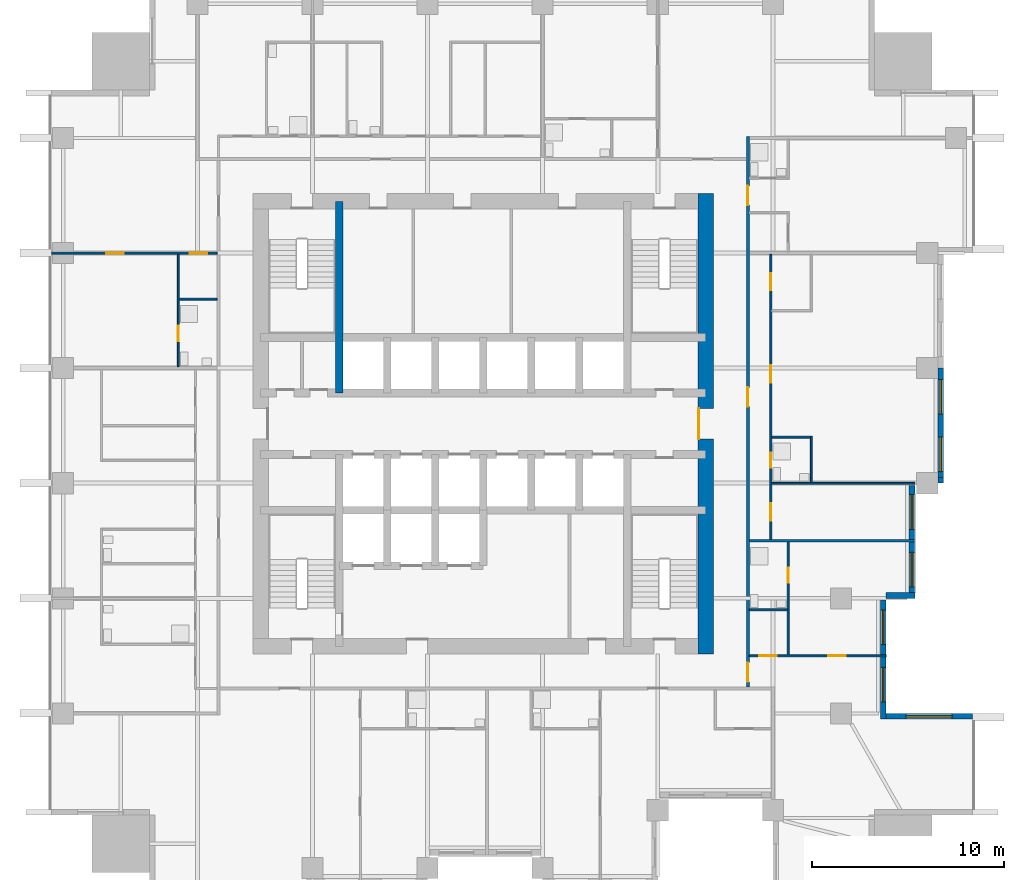
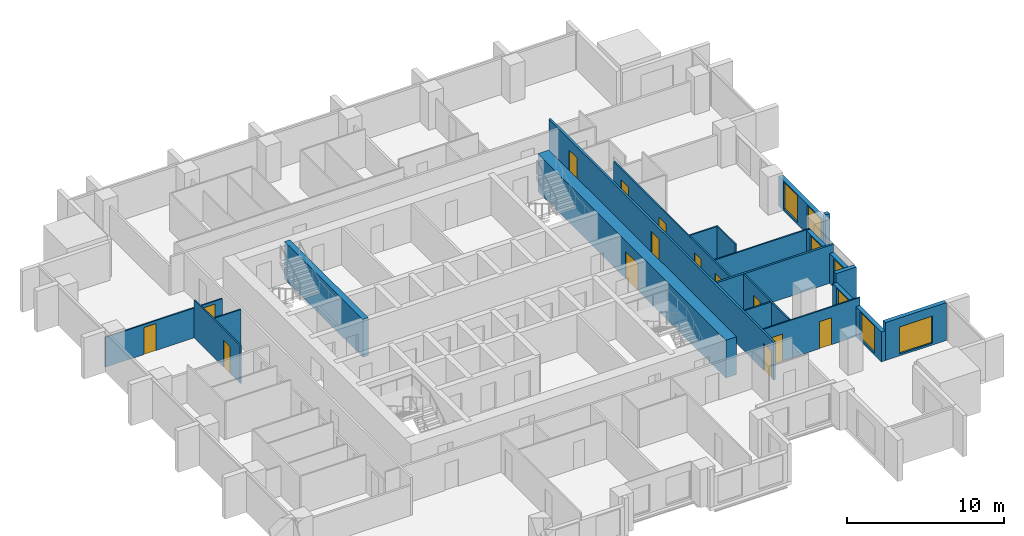
# One storey, part 6 of 10: 20 walls, 14 doors, 7 windows, 21 openings.
"""IFC4 building model written with IfcOpenShell, lengths in metres."""

from ifc_helpers import new_model, si_unit, direction, frame, frame_2d, origin, place, context, subcontext, project, spatial, rectangle, extrude, material, layer, layer_set, type_object, element, fill, save


model = new_model("IFC4")

# Units and contexts
model_context = context("Model", 3, precision=1e-05, world=origin(), true_north=direction((0.0, 1.0)))
body_context = subcontext(model_context, "Body", "Model", "MODEL_VIEW")
ifc_project = project(units=[si_unit("LENGTHUNIT", "METRE"), si_unit("AREAUNIT", "SQUARE_METRE"), si_unit("VOLUMEUNIT", "CUBIC_METRE"), si_unit("PLANEANGLEUNIT", "RADIAN"), si_unit("MASSUNIT", "GRAM", prefix="KILO")], contexts=[model_context])

# Site, building, storey
site_placement = place(None, origin())
site = spatial("IfcSite", under=ifc_project, at=site_placement, CompositionType="ELEMENT")
building_placement = place(site_placement, origin())
building = spatial("IfcBuilding", under=site, at=building_placement, Name="Amberfall Residences", CompositionType="ELEMENT")
storey_placement = place(building_placement, frame((0.0, 0.0, 121.60009765625)))
storey = spatial("IfcBuildingStorey", under=building, at=storey_placement, Name="L33", CompositionType="ELEMENT", Elevation=121.60009765625)

# Wall, opening, window
ifc_material_1 = material(Name="Pale stone cladding on insulated backing", Category="masonry")
ifc_layer_1 = layer(ifc_material_1, 0.300048828125)
ifc_layer_set_1 = layer_set([ifc_layer_1], Name="Bronze clad wall 300")
wall_type_1 = type_object("IfcWallType", Name="Bronze clad wall 300", PredefinedType="SOLIDWALL", material=ifc_layer_set_1)
wall_1_placement = place(storey_placement, frame((100.0, 30.25, 0.0), z_axis=(0.0, 0.0, 1.0), x_axis=(-1.0, 0.0, 0.0)))
wall_1 = element("IfcWall", 1, at=wall_1_placement, inside=storey, type_object=wall_type_1, Name="External wall L33 E", PredefinedType="SOLIDWALL", context=body_context, shape_type="SweptSolid", body=[
    extrude(rectangle(XDim=4.5, YDim=0.300048828125, at=frame_2d((2.25, 0.0))), origin(), (0.0, 0.0, 1.0), 2.949951171875),
])
opening_1_placement = place(wall_1_placement, frame((1.050048828125, 0.0, 0.14990234375)))
opening_1 = element("IfcOpeningElement", 2, at=opening_1_placement, cuts=wall_1, Name="Opening WN5", PredefinedType="OPENING", context=body_context, shape_type="SweptSolid", body=[
    extrude(rectangle(XDim=2.39990234375, YDim=2.10009765625, at=frame_2d((1.199951171875, 1.050048828125))), frame((0.0, 0.159912109375, 0.0), z_axis=(0.0, -1.0, 0.0), x_axis=(1.0, 0.0, 0.0)), (0.0, 0.0, 1.0), 0.320068359375),
])
ifc_material_2 = material(Name="Bronze aluminium framed glazing", Category="aluminium")
window_type_1 = type_object("IfcWindowType", Name="Glazed opening 2400 x 2100 bronze", PartitioningType="DOUBLE_PANEL_VERTICAL", PredefinedType="WINDOW", material=ifc_material_2)
window_1_placement = place(opening_1_placement, origin())
window_1 = element("IfcWindow", 3, at=window_1_placement, inside=storey, type_object=window_type_1, Name="Window L33 E", OverallHeight=2.10009765625, OverallWidth=2.39990234375, PartitioningType="DOUBLE_PANEL_VERTICAL", PredefinedType="WINDOW", context=body_context, shape_type="SweptSolid", body=[
    extrude(rectangle(XDim=2.39990234375, YDim=2.10009765625, at=frame_2d((1.199951171875, 1.050048828125))), frame((0.0, 0.030029296875, 0.0), z_axis=(0.0, -1.0, 0.0), x_axis=(1.0, 0.0, 0.0)), (0.0, 0.0, 1.0), 0.06005859375),
])
fill(opening_1, window_1)

# Walls
wall_2_placement = place(storey_placement, frame((95.5, 36.550048828125, 0.0), z_axis=(0.0, 0.0, 1.0), x_axis=(1.0, 0.0, 0.0)))
element("IfcWall", 4, at=wall_2_placement, inside=storey, type_object=wall_type_1, Name="External wall L33 E", PredefinedType="SOLIDWALL", context=body_context, shape_type="SweptSolid", body=[
    extrude(rectangle(XDim=1.5, YDim=0.300048828125, at=frame_2d((0.75, 0.0))), origin(), (0.0, 0.0, 1.0), 2.949951171875),
])
wall_3_placement = place(storey_placement, frame((98.199951171875, 42.550048828125, 0.0), z_axis=(0.0, 0.0, 1.0), x_axis=(1.0, 0.0, 0.0)))
element("IfcWall", 5, at=wall_3_placement, inside=storey, type_object=wall_type_1, Name="External wall L33 E", PredefinedType="SOLIDWALL", context=body_context, shape_type="SweptSolid", body=[
    extrude(rectangle(XDim=0.300048828125, YDim=0.300048828125, at=frame_2d((0.14990234375, 0.0))), origin(), (0.0, 0.0, 1.0), 2.949951171875),
])

# Wall, openings, windows
wall_4_placement = place(storey_placement, frame((95.35009765625, 30.10009765625, 0.0), z_axis=(0.0, 0.0, 1.0), x_axis=(0.0, 1.0, 0.0)))
wall_4 = element("IfcWall", 6, at=wall_4_placement, inside=storey, type_object=wall_type_1, Name="Stone wall L33 E", PredefinedType="SOLIDWALL", context=body_context, shape_type="SweptSolid", body=[
    extrude(rectangle(XDim=6.2099609375, YDim=0.300048828125, at=frame_2d((3.10498046875, 0.0))), origin(), (0.0, 0.0, 1.0), 2.34033203125),
])
opening_2_placement = place(wall_4_placement, frame((0.89990234375, 0.0, 0.14990234375)))
opening_2 = element("IfcOpeningElement", 7, at=opening_2_placement, cuts=wall_4, Name="Opening WN6", PredefinedType="OPENING", context=body_context, shape_type="SweptSolid", body=[
    extrude(rectangle(XDim=1.800048828125, YDim=2.10009765625, at=frame_2d((0.89990234375, 1.050048828125))), frame((0.0, 0.159912109375, 0.0), z_axis=(0.0, -1.0, 0.0), x_axis=(1.0, 0.0, 0.0)), (0.0, 0.0, 1.0), 0.320068359375),
])
opening_3_placement = place(wall_4_placement, frame((3.89990234375, 0.0, 0.14990234375)))
opening_3 = element("IfcOpeningElement", 8, at=opening_3_placement, cuts=wall_4, Name="Opening WN6", PredefinedType="OPENING", context=body_context, shape_type="SweptSolid", body=[
    extrude(rectangle(XDim=1.800048828125, YDim=2.10009765625, at=frame_2d((0.89990234375, 1.050048828125))), frame((0.0, 0.159912109375, 0.0), z_axis=(0.0, -1.0, 0.0), x_axis=(1.0, 0.0, 0.0)), (0.0, 0.0, 1.0), 0.320068359375),
])
window_type_2 = type_object("IfcWindowType", Name="Glazed opening 1800 x 2100 bronze", PartitioningType="DOUBLE_PANEL_VERTICAL", PredefinedType="WINDOW", material=ifc_material_2)
window_2_placement = place(opening_2_placement, origin())
window_2 = element("IfcWindow", 9, at=window_2_placement, inside=storey, type_object=window_type_2, Name="Window L33 E", OverallHeight=2.10009765625, OverallWidth=1.800048828125, PartitioningType="DOUBLE_PANEL_VERTICAL", PredefinedType="WINDOW", context=body_context, shape_type="SweptSolid", body=[
    extrude(rectangle(XDim=1.800048828125, YDim=2.10009765625, at=frame_2d((0.89990234375, 1.050048828125))), frame((0.0, 0.030029296875, 0.0), z_axis=(0.0, -1.0, 0.0), x_axis=(1.0, 0.0, 0.0)), (0.0, 0.0, 1.0), 0.06005859375),
])
fill(opening_2, window_2)
window_3_placement = place(opening_3_placement, origin())
window_3 = element("IfcWindow", 10, at=window_3_placement, inside=storey, type_object=window_type_2, Name="Window L33 E", OverallHeight=2.10009765625, OverallWidth=1.800048828125, PartitioningType="DOUBLE_PANEL_VERTICAL", PredefinedType="WINDOW", context=body_context, shape_type="SweptSolid", body=[
    extrude(rectangle(XDim=1.800048828125, YDim=2.10009765625, at=frame_2d((0.89990234375, 1.050048828125))), frame((0.0, 0.030029296875, 0.0), z_axis=(0.0, -1.0, 0.0), x_axis=(1.0, 0.0, 0.0)), (0.0, 0.0, 1.0), 0.06005859375),
])
fill(opening_3, window_3)

wall_5_placement = place(storey_placement, frame((96.85009765625, 36.699951171875, 0.0), z_axis=(0.0, 0.0, 1.0), x_axis=(0.0, 1.0, 0.0)))
wall_5 = element("IfcWall", 11, at=wall_5_placement, inside=storey, type_object=wall_type_1, Name="Stone wall L33 E", PredefinedType="SOLIDWALL", context=body_context, shape_type="SweptSolid", body=[
    extrude(rectangle(XDim=5.580078125, YDim=0.300048828125, at=frame_2d((2.7900390625, 0.0))), origin(), (0.0, 0.0, 1.0), 2.34033203125),
])
opening_4_placement = place(wall_5_placement, frame((0.300048828125, 0.0, 0.14990234375)))
opening_4 = element("IfcOpeningElement", 12, at=opening_4_placement, cuts=wall_5, Name="Opening WN6", PredefinedType="OPENING", context=body_context, shape_type="SweptSolid", body=[
    extrude(rectangle(XDim=1.800048828125, YDim=2.10009765625, at=frame_2d((0.89990234375, 1.050048828125))), frame((0.0, 0.159912109375, 0.0), z_axis=(0.0, -1.0, 0.0), x_axis=(1.0, 0.0, 0.0)), (0.0, 0.0, 1.0), 0.320068359375),
])
opening_5_placement = place(wall_5_placement, frame((3.300048828125, 0.0, 0.14990234375)))
opening_5 = element("IfcOpeningElement", 13, at=opening_5_placement, cuts=wall_5, Name="Opening WN6", PredefinedType="OPENING", context=body_context, shape_type="SweptSolid", body=[
    extrude(rectangle(XDim=1.800048828125, YDim=2.10009765625, at=frame_2d((0.89990234375, 1.050048828125))), frame((0.0, 0.159912109375, 0.0), z_axis=(0.0, -1.0, 0.0), x_axis=(1.0, 0.0, 0.0)), (0.0, 0.0, 1.0), 0.320068359375),
])
window_4_placement = place(opening_4_placement, origin())
window_4 = element("IfcWindow", 14, at=window_4_placement, inside=storey, type_object=window_type_2, Name="Window L33 E", OverallHeight=2.10009765625, OverallWidth=1.800048828125, PartitioningType="DOUBLE_PANEL_VERTICAL", PredefinedType="WINDOW", context=body_context, shape_type="SweptSolid", body=[
    extrude(rectangle(XDim=1.800048828125, YDim=2.10009765625, at=frame_2d((0.89990234375, 1.050048828125))), frame((0.0, 0.030029296875, 0.0), z_axis=(0.0, -1.0, 0.0), x_axis=(1.0, 0.0, 0.0)), (0.0, 0.0, 1.0), 0.06005859375),
])
fill(opening_4, window_4)
window_5_placement = place(opening_5_placement, origin())
window_5 = element("IfcWindow", 15, at=window_5_placement, inside=storey, type_object=window_type_2, Name="Window L33 E", OverallHeight=2.10009765625, OverallWidth=1.800048828125, PartitioningType="DOUBLE_PANEL_VERTICAL", PredefinedType="WINDOW", context=body_context, shape_type="SweptSolid", body=[
    extrude(rectangle(XDim=1.800048828125, YDim=2.10009765625, at=frame_2d((0.89990234375, 1.050048828125))), frame((0.0, 0.030029296875, 0.0), z_axis=(0.0, -1.0, 0.0), x_axis=(1.0, 0.0, 0.0)), (0.0, 0.0, 1.0), 0.06005859375),
])
fill(opening_5, window_5)

wall_6_placement = place(storey_placement, frame((98.35009765625, 42.699951171875, 0.0), z_axis=(0.0, 0.0, 1.0), x_axis=(0.0, 1.0, 0.0)))
wall_6 = element("IfcWall", 16, at=wall_6_placement, inside=storey, type_object=wall_type_1, Name="Stone wall L33 E", PredefinedType="SOLIDWALL", context=body_context, shape_type="SweptSolid", body=[
    extrude(rectangle(XDim=5.699951171875, YDim=0.300048828125, at=frame_2d((2.85009765625, 0.0))), origin(), (0.0, 0.0, 1.0), 2.34033203125),
])
opening_6_placement = place(wall_6_placement, frame((0.300048828125, 0.0, 0.14990234375)))
opening_6 = element("IfcOpeningElement", 17, at=opening_6_placement, cuts=wall_6, Name="Opening WN6", PredefinedType="OPENING", context=body_context, shape_type="SweptSolid", body=[
    extrude(rectangle(XDim=1.800048828125, YDim=2.10009765625, at=frame_2d((0.89990234375, 1.050048828125))), frame((0.0, 0.159912109375, 0.0), z_axis=(0.0, -1.0, 0.0), x_axis=(1.0, 0.0, 0.0)), (0.0, 0.0, 1.0), 0.320068359375),
])
opening_7_placement = place(wall_6_placement, frame((3.300048828125, 0.0, 0.14990234375)))
opening_7 = element("IfcOpeningElement", 18, at=opening_7_placement, cuts=wall_6, Name="Opening WN6", PredefinedType="OPENING", context=body_context, shape_type="SweptSolid", body=[
    extrude(rectangle(XDim=1.800048828125, YDim=2.10009765625, at=frame_2d((0.89990234375, 1.050048828125))), frame((0.0, 0.159912109375, 0.0), z_axis=(0.0, -1.0, 0.0), x_axis=(1.0, 0.0, 0.0)), (0.0, 0.0, 1.0), 0.320068359375),
])
window_6_placement = place(opening_6_placement, origin())
window_6 = element("IfcWindow", 19, at=window_6_placement, inside=storey, type_object=window_type_2, Name="Window L33 E", OverallHeight=2.10009765625, OverallWidth=1.800048828125, PartitioningType="DOUBLE_PANEL_VERTICAL", PredefinedType="WINDOW", context=body_context, shape_type="SweptSolid", body=[
    extrude(rectangle(XDim=1.800048828125, YDim=2.10009765625, at=frame_2d((0.89990234375, 1.050048828125))), frame((0.0, 0.030029296875, 0.0), z_axis=(0.0, -1.0, 0.0), x_axis=(1.0, 0.0, 0.0)), (0.0, 0.0, 1.0), 0.06005859375),
])
fill(opening_6, window_6)
window_7_placement = place(opening_7_placement, origin())
window_7 = element("IfcWindow", 20, at=window_7_placement, inside=storey, type_object=window_type_2, Name="Window L33 E", OverallHeight=2.10009765625, OverallWidth=1.800048828125, PartitioningType="DOUBLE_PANEL_VERTICAL", PredefinedType="WINDOW", context=body_context, shape_type="SweptSolid", body=[
    extrude(rectangle(XDim=1.800048828125, YDim=2.10009765625, at=frame_2d((0.89990234375, 1.050048828125))), frame((0.0, 0.030029296875, 0.0), z_axis=(0.0, -1.0, 0.0), x_axis=(1.0, 0.0, 0.0)), (0.0, 0.0, 1.0), 0.06005859375),
])
fill(opening_7, window_7)

# Wall
ifc_material_3 = material(Name="Concrete C70", Category="concrete")
ifc_layer_2 = layer(ifc_material_3, 0.39990234375)
ifc_layer_set_2 = layer_set([ifc_layer_2], Name="Core wall 400 C70")
wall_type_2 = type_object("IfcWallType", Name="Core wall 400 C70", PredefinedType="SHEAR", material=ifc_layer_set_2)
wall_7_placement = place(storey_placement, frame((67.0, 47.10009765625, 0.0), z_axis=(0.0, 0.0, 1.0), x_axis=(0.0, 1.0, 0.0)))
element("IfcWall", 21, at=wall_7_placement, inside=storey, type_object=wall_type_2, Name="Core wall RW4 L33 V45N", PredefinedType="SHEAR", context=body_context, shape_type="SweptSolid", body=[
    extrude(rectangle(XDim=10.0, YDim=0.39990234375, at=frame_2d((5.0, 0.0))), origin(), (0.0, 0.0, 1.0), 2.949951171875),
])

# Wall, opening, door
ifc_layer_3 = layer(ifc_material_3, 0.800048828125)
ifc_layer_set_3 = layer_set([ifc_layer_3], Name="Core wall 800 C70")
wall_type_3 = type_object("IfcWallType", Name="Core wall 800 C70", PredefinedType="SHEAR", material=ifc_layer_set_3)
wall_8_placement = place(storey_placement, frame((86.10009765625, 33.5, 0.0), z_axis=(0.0, 0.0, 1.0), x_axis=(0.0, 1.0, 0.0)))
wall_8 = element("IfcWall", 22, at=wall_8_placement, inside=storey, type_object=wall_type_3, Name="Core wall RW3 L33 OE", PredefinedType="SHEAR", context=body_context, shape_type="SweptSolid", body=[
    extrude(rectangle(XDim=24.0, YDim=0.800048828125, at=frame_2d((12.0, 0.0))), origin(), (0.0, 0.0, 1.0), 2.949951171875),
])
opening_8_placement = place(wall_8_placement, frame((11.199951171875, 0.0, 0.0)))
opening_8 = element("IfcOpeningElement", 23, at=opening_8_placement, cuts=wall_8, Name="Opening LB1", PredefinedType="OPENING", context=body_context, shape_type="SweptSolid", body=[
    extrude(rectangle(XDim=1.60009765625, YDim=2.10009765625, at=frame_2d((0.800048828125, 1.050048828125))), frame((0.0, 0.409912109375, 0.0), z_axis=(0.0, -1.0, 0.0), x_axis=(1.0, 0.0, 0.0)), (0.0, 0.0, 1.0), 0.820068359375),
])
ifc_material_4 = material(Name="Steel fire door set", Category="steel")
door_type_1 = type_object("IfcDoorType", Name="Lift lobby double door 1600 x 2100", OperationType="DOUBLE_DOOR_SINGLE_SWING", PredefinedType="DOOR", material=ifc_material_4)
door_1_placement = place(opening_8_placement, origin())
door_1 = element("IfcDoor", 24, at=door_1_placement, inside=storey, type_object=door_type_1, Name="LB1 L33", OperationType="DOUBLE_DOOR_SINGLE_SWING", OverallHeight=2.10009765625, OverallWidth=1.60009765625, PredefinedType="DOOR", context=body_context, shape_type="SweptSolid", body=[
    extrude(rectangle(XDim=1.60009765625, YDim=2.10009765625, at=frame_2d((0.800048828125, 1.050048828125))), frame((0.0, 0.3876953125, 0.0), z_axis=(0.0, -1.0, 0.0), x_axis=(1.0, 0.0, 0.0)), (0.0, 0.0, 1.0), 0.050048828125),
])
fill(opening_8, door_1)

ifc_material_5 = material(Name="Gypsum board on metal stud")
ifc_layer_4 = layer(ifc_material_5, 0.10009765625)
ifc_layer_set_4 = layer_set([ifc_layer_4], Name="Flat partition 100")
wall_type_4 = type_object("IfcWallType", Name="Flat partition 100", PredefinedType="PARTITIONING", material=ifc_layer_set_4)
wall_9_placement = place(storey_placement, frame((58.60009765625, 54.35009765625, 0.0), z_axis=(0.0, 0.0, 1.0), x_axis=(0.0, -1.0, 0.0)))
wall_9 = element("IfcWall", 25, at=wall_9_placement, inside=storey, type_object=wall_type_4, Name="Partition 003", PredefinedType="PARTITIONING", context=body_context, shape_type="SweptSolid", body=[
    extrude(rectangle(XDim=5.875, YDim=0.10009765625, at=frame_2d((2.9375, 0.0))), origin(), (0.0, 0.0, 1.0), 2.949951171875),
])
opening_9_placement = place(wall_9_placement, frame((3.75, 0.0, 0.0)))
opening_9 = element("IfcOpeningElement", 26, at=opening_9_placement, cuts=wall_9, Name="Opening D42", PredefinedType="OPENING", context=body_context, shape_type="SweptSolid", body=[
    extrude(rectangle(XDim=0.800048828125, YDim=2.10009765625, at=frame_2d((0.39990234375, 1.050048828125))), frame((0.0, 0.06005859375, 0.0), z_axis=(0.0, -1.0, 0.0), x_axis=(1.0, 0.0, 0.0)), (0.0, 0.0, 1.0), 0.1201171875),
])
ifc_material_6 = material(Name="Timber", Category="wood")
door_type_2 = type_object("IfcDoorType", Name="Bathroom door 800 x 2100", OperationType="SINGLE_SWING_LEFT", PredefinedType="DOOR", material=ifc_material_6)
door_2_placement = place(opening_9_placement, origin())
door_2 = element("IfcDoor", 27, at=door_2_placement, inside=storey, type_object=door_type_2, Name="Door 3309 bath1", OperationType="SINGLE_SWING_LEFT", OverallHeight=2.10009765625, OverallWidth=0.800048828125, PredefinedType="DOOR", context=body_context, shape_type="SweptSolid", body=[
    extrude(rectangle(XDim=0.800048828125, YDim=2.10009765625, at=frame_2d((0.39990234375, 1.050048828125))), frame((0.0, 0.02490234375, 0.0), z_axis=(0.0, -1.0, 0.0), x_axis=(1.0, 0.0, 0.0)), (0.0, 0.0, 1.0), 0.050048828125),
])
fill(opening_9, door_2)

# Wall, openings, doors
wall_10_placement = place(storey_placement, frame((89.5, 54.324951171875, 0.0), z_axis=(0.0, 0.0, 1.0), x_axis=(0.0, -1.0, 0.0)))
wall_10 = element("IfcWall", 28, at=wall_10_placement, inside=storey, type_object=wall_type_4, Name="Partition 019", PredefinedType="PARTITIONING", context=body_context, shape_type="SweptSolid", body=[
    extrude(rectangle(XDim=14.849853515625, YDim=0.10009765625, at=frame_2d((7.4248046875, 0.0))), origin(), (0.0, 0.0, 1.0), 2.949951171875),
])
opening_10_placement = place(wall_10_placement, frame((5.77490234375, 0.0, 0.0)))
opening_10 = element("IfcOpeningElement", 29, at=opening_10_placement, cuts=wall_10, Name="Opening D41", PredefinedType="OPENING", context=body_context, shape_type="SweptSolid", body=[
    extrude(rectangle(XDim=0.89990234375, YDim=2.10009765625, at=frame_2d((0.449951171875, 1.050048828125))), frame((0.0, 0.06005859375, 0.0), z_axis=(0.0, -1.0, 0.0), x_axis=(1.0, 0.0, 0.0)), (0.0, 0.0, 1.0), 0.1201171875),
])
opening_11_placement = place(wall_10_placement, frame((0.97509765625, 0.0, 0.0)))
opening_11 = element("IfcOpeningElement", 30, at=opening_11_placement, cuts=wall_10, Name="Opening D41", PredefinedType="OPENING", context=body_context, shape_type="SweptSolid", body=[
    extrude(rectangle(XDim=0.89990234375, YDim=2.10009765625, at=frame_2d((0.449951171875, 1.050048828125))), frame((0.0, 0.06005859375, 0.0), z_axis=(0.0, -1.0, 0.0), x_axis=(1.0, 0.0, 0.0)), (0.0, 0.0, 1.0), 0.1201171875),
])
opening_12_placement = place(wall_10_placement, frame((12.97509765625, 0.0, 0.0)))
opening_12 = element("IfcOpeningElement", 31, at=opening_12_placement, cuts=wall_10, Name="Opening D41", PredefinedType="OPENING", context=body_context, shape_type="SweptSolid", body=[
    extrude(rectangle(XDim=0.89990234375, YDim=2.10009765625, at=frame_2d((0.449951171875, 1.050048828125))), frame((0.0, 0.06005859375, 0.0), z_axis=(0.0, -1.0, 0.0), x_axis=(1.0, 0.0, 0.0)), (0.0, 0.0, 1.0), 0.1201171875),
])
opening_13_placement = place(wall_10_placement, frame((10.324951171875, 0.0, 0.0)))
opening_13 = element("IfcOpeningElement", 32, at=opening_13_placement, cuts=wall_10, Name="Opening D42", PredefinedType="OPENING", context=body_context, shape_type="SweptSolid", body=[
    extrude(rectangle(XDim=0.800048828125, YDim=2.10009765625, at=frame_2d((0.39990234375, 1.050048828125))), frame((0.0, 0.06005859375, 0.0), z_axis=(0.0, -1.0, 0.0), x_axis=(1.0, 0.0, 0.0)), (0.0, 0.0, 1.0), 0.1201171875),
])
door_3_placement = place(opening_13_placement, origin())
door_3 = element("IfcDoor", 33, at=door_3_placement, inside=storey, type_object=door_type_2, Name="Door 3304 bath1", OperationType="SINGLE_SWING_LEFT", OverallHeight=2.10009765625, OverallWidth=0.800048828125, PredefinedType="DOOR", context=body_context, shape_type="SweptSolid", body=[
    extrude(rectangle(XDim=0.800048828125, YDim=2.10009765625, at=frame_2d((0.39990234375, 1.050048828125))), frame((0.0, 0.02490234375, 0.0), z_axis=(0.0, -1.0, 0.0), x_axis=(1.0, 0.0, 0.0)), (0.0, 0.0, 1.0), 0.050048828125),
])
fill(opening_13, door_3)
door_type_3 = type_object("IfcDoorType", Name="Internal door 900 x 2100", OperationType="SINGLE_SWING_LEFT", PredefinedType="DOOR", material=ifc_material_6)
door_4_placement = place(opening_10_placement, origin())
door_4 = element("IfcDoor", 34, at=door_4_placement, inside=storey, type_object=door_type_3, Name="Door 3304 living", OperationType="SINGLE_SWING_LEFT", OverallHeight=2.10009765625, OverallWidth=0.89990234375, PredefinedType="DOOR", context=body_context, shape_type="SweptSolid", body=[
    extrude(rectangle(XDim=0.89990234375, YDim=2.10009765625, at=frame_2d((0.449951171875, 1.050048828125))), frame((0.0, 0.02490234375, 0.0), z_axis=(0.0, -1.0, 0.0), x_axis=(1.0, 0.0, 0.0)), (0.0, 0.0, 1.0), 0.050048828125),
])
fill(opening_10, door_4)
door_5_placement = place(opening_11_placement, origin())
door_5 = element("IfcDoor", 35, at=door_5_placement, inside=storey, type_object=door_type_3, Name="Door 3304 kitchen", OperationType="SINGLE_SWING_LEFT", OverallHeight=2.10009765625, OverallWidth=0.89990234375, PredefinedType="DOOR", context=body_context, shape_type="SweptSolid", body=[
    extrude(rectangle(XDim=0.89990234375, YDim=2.10009765625, at=frame_2d((0.449951171875, 1.050048828125))), frame((0.0, 0.02490234375, 0.0), z_axis=(0.0, -1.0, 0.0), x_axis=(1.0, 0.0, 0.0)), (0.0, 0.0, 1.0), 0.050048828125),
])
fill(opening_11, door_5)
door_6_placement = place(opening_12_placement, origin())
door_6 = element("IfcDoor", 36, at=door_6_placement, inside=storey, type_object=door_type_3, Name="Door 3304 bedroom1", OperationType="SINGLE_SWING_LEFT", OverallHeight=2.10009765625, OverallWidth=0.89990234375, PredefinedType="DOOR", context=body_context, shape_type="SweptSolid", body=[
    extrude(rectangle(XDim=0.89990234375, YDim=2.10009765625, at=frame_2d((0.449951171875, 1.050048828125))), frame((0.0, 0.02490234375, 0.0), z_axis=(0.0, -1.0, 0.0), x_axis=(1.0, 0.0, 0.0)), (0.0, 0.0, 1.0), 0.050048828125),
])
fill(opening_12, door_6)

# Wall, opening, door
wall_11_placement = place(storey_placement, frame((90.39990234375, 33.449951171875, 0.0), z_axis=(0.0, 0.0, 1.0), x_axis=(0.0, 1.0, 0.0)))
wall_11 = element("IfcWall", 37, at=wall_11_placement, inside=storey, type_object=wall_type_4, Name="Partition 020", PredefinedType="PARTITIONING", context=body_context, shape_type="SweptSolid", body=[
    extrude(rectangle(XDim=5.875, YDim=0.10009765625, at=frame_2d((2.9375, 0.0))), origin(), (0.0, 0.0, 1.0), 2.949951171875),
])
opening_14_placement = place(wall_11_placement, frame((3.75, 0.0, 0.0)))
opening_14 = element("IfcOpeningElement", 38, at=opening_14_placement, cuts=wall_11, Name="Opening D42", PredefinedType="OPENING", context=body_context, shape_type="SweptSolid", body=[
    extrude(rectangle(XDim=0.800048828125, YDim=2.10009765625, at=frame_2d((0.39990234375, 1.050048828125))), frame((0.0, 0.06005859375, 0.0), z_axis=(0.0, -1.0, 0.0), x_axis=(1.0, 0.0, 0.0)), (0.0, 0.0, 1.0), 0.1201171875),
])
door_7_placement = place(opening_14_placement, origin())
door_7 = element("IfcDoor", 39, at=door_7_placement, inside=storey, type_object=door_type_2, Name="Door 3303 bath1", OperationType="SINGLE_SWING_LEFT", OverallHeight=2.10009765625, OverallWidth=0.800048828125, PredefinedType="DOOR", context=body_context, shape_type="SweptSolid", body=[
    extrude(rectangle(XDim=0.800048828125, YDim=2.10009765625, at=frame_2d((0.39990234375, 1.050048828125))), frame((0.0, 0.02490234375, 0.0), z_axis=(0.0, -1.0, 0.0), x_axis=(1.0, 0.0, 0.0)), (0.0, 0.0, 1.0), 0.050048828125),
])
fill(opening_14, door_7)

# Wall
wall_12_placement = place(storey_placement, frame((91.60009765625, 42.449951171875, 0.0), z_axis=(0.0, 0.0, 1.0), x_axis=(0.0, 1.0, 0.0)))
element("IfcWall", 40, at=wall_12_placement, inside=storey, type_object=wall_type_4, Name="Partition 023", PredefinedType="PARTITIONING", context=body_context, shape_type="SweptSolid", body=[
    extrude(rectangle(XDim=2.400146484375, YDim=0.10009765625, at=frame_2d((1.2001953125, 0.0))), origin(), (0.0, 0.0, 1.0), 2.949951171875),
])

# Wall, openings, doors
wall_13_placement = place(storey_placement, frame((60.625, 54.39990234375, 0.0), z_axis=(0.0, 0.0, 1.0), x_axis=(-1.0, 0.0, 0.0)))
wall_13 = element("IfcWall", 41, at=wall_13_placement, inside=storey, type_object=wall_type_4, Name="Partition 031", PredefinedType="PARTITIONING", context=body_context, shape_type="SweptSolid", body=[
    extrude(rectangle(XDim=8.625, YDim=0.10009765625, at=frame_2d((4.3125, 0.0))), origin(), (0.0, 0.0, 1.0), 2.331787109375),
])
opening_15_placement = place(wall_13_placement, frame((0.52490234375, 0.0, 0.0)))
opening_15 = element("IfcOpeningElement", 42, at=opening_15_placement, cuts=wall_13, Name="Opening D41", PredefinedType="OPENING", context=body_context, shape_type="SweptSolid", body=[
    extrude(rectangle(XDim=0.89990234375, YDim=2.10009765625, at=frame_2d((0.449951171875, 1.050048828125))), frame((0.0, 0.06005859375, 0.0), z_axis=(0.0, -1.0, 0.0), x_axis=(1.0, 0.0, 0.0)), (0.0, 0.0, 1.0), 0.1201171875),
])
opening_16_placement = place(wall_13_placement, frame((4.875, 0.0, 0.0)))
opening_16 = element("IfcOpeningElement", 43, at=opening_16_placement, cuts=wall_13, Name="Opening D41", PredefinedType="OPENING", context=body_context, shape_type="SweptSolid", body=[
    extrude(rectangle(XDim=0.89990234375, YDim=2.10009765625, at=frame_2d((0.449951171875, 1.050048828125))), frame((0.0, 0.06005859375, 0.0), z_axis=(0.0, -1.0, 0.0), x_axis=(1.0, 0.0, 0.0)), (0.0, 0.0, 1.0), 0.1201171875),
])
door_8_placement = place(opening_15_placement, origin())
door_8 = element("IfcDoor", 44, at=door_8_placement, inside=storey, type_object=door_type_3, Name="Door 3309 kitchen", OperationType="SINGLE_SWING_LEFT", OverallHeight=2.10009765625, OverallWidth=0.89990234375, PredefinedType="DOOR", context=body_context, shape_type="SweptSolid", body=[
    extrude(rectangle(XDim=0.89990234375, YDim=2.10009765625, at=frame_2d((0.449951171875, 1.050048828125))), frame((0.0, 0.02490234375, 0.0), z_axis=(0.0, -1.0, 0.0), x_axis=(1.0, 0.0, 0.0)), (0.0, 0.0, 1.0), 0.050048828125),
])
fill(opening_15, door_8)
door_9_placement = place(opening_16_placement, origin())
door_9 = element("IfcDoor", 45, at=door_9_placement, inside=storey, type_object=door_type_3, Name="Door 3309 bedroom1", OperationType="SINGLE_SWING_LEFT", OverallHeight=2.10009765625, OverallWidth=0.89990234375, PredefinedType="DOOR", context=body_context, shape_type="SweptSolid", body=[
    extrude(rectangle(XDim=0.89990234375, YDim=2.10009765625, at=frame_2d((0.449951171875, 1.050048828125))), frame((0.0, 0.02490234375, 0.0), z_axis=(0.0, -1.0, 0.0), x_axis=(1.0, 0.0, 0.0)), (0.0, 0.0, 1.0), 0.050048828125),
])
fill(opening_16, door_9)

# Walls
wall_14_placement = place(storey_placement, frame((58.64990234375, 52.0, 0.0), z_axis=(0.0, 0.0, 1.0), x_axis=(1.0, 0.0, 0.0)))
element("IfcWall", 46, at=wall_14_placement, inside=storey, type_object=wall_type_4, Name="Partition 032", PredefinedType="PARTITIONING", context=body_context, shape_type="SweptSolid", body=[
    extrude(rectangle(XDim=1.97509765625, YDim=0.10009765625, at=frame_2d((0.987548828125, 0.0))), origin(), (0.0, 0.0, 1.0), 2.949951171875),
])
wall_15_placement = place(storey_placement, frame((89.550048828125, 44.800048828125, 0.0), z_axis=(0.0, 0.0, 1.0), x_axis=(1.0, 0.0, 0.0)))
element("IfcWall", 47, at=wall_15_placement, inside=storey, type_object=wall_type_4, Name="Partition 035", PredefinedType="PARTITIONING", context=body_context, shape_type="SweptSolid", body=[
    extrude(rectangle(XDim=2.0, YDim=0.10009765625, at=frame_2d((1.0, 0.0))), origin(), (0.0, 0.0, 1.0), 2.949951171875),
])
wall_16_placement = place(storey_placement, frame((89.550048828125, 42.39990234375, 0.0), z_axis=(0.0, 0.0, 1.0), x_axis=(1.0, 0.0, 0.0)))
element("IfcWall", 48, at=wall_16_placement, inside=storey, type_object=wall_type_4, Name="Partition 037", PredefinedType="PARTITIONING", context=body_context, shape_type="SweptSolid", body=[
    extrude(rectangle(XDim=7.449951171875, YDim=0.10009765625, at=frame_2d((3.72509765625, 0.0))), origin(), (0.0, 0.0, 1.0), 2.331787109375),
])
wall_17_placement = place(storey_placement, frame((88.375, 35.800048828125, 0.0), z_axis=(0.0, 0.0, 1.0), x_axis=(1.0, 0.0, 0.0)))
element("IfcWall", 49, at=wall_17_placement, inside=storey, type_object=wall_type_4, Name="Partition 041", PredefinedType="PARTITIONING", context=body_context, shape_type="SweptSolid", body=[
    extrude(rectangle(XDim=1.97509765625, YDim=0.10009765625, at=frame_2d((0.987548828125, 0.0))), origin(), (0.0, 0.0, 1.0), 2.949951171875),
])

# Wall, openings, doors
wall_18_placement = place(storey_placement, frame((88.375, 33.39990234375, 0.0), z_axis=(0.0, 0.0, 1.0), x_axis=(1.0, 0.0, 0.0)))
wall_18 = element("IfcWall", 50, at=wall_18_placement, inside=storey, type_object=wall_type_4, Name="Partition 043", PredefinedType="PARTITIONING", context=body_context, shape_type="SweptSolid", body=[
    extrude(rectangle(XDim=7.125, YDim=0.10009765625, at=frame_2d((3.5625, 0.0))), origin(), (0.0, 0.0, 1.0), 2.949951171875),
])
opening_17_placement = place(wall_18_placement, frame((0.52490234375, 0.0, 0.0)))
opening_17 = element("IfcOpeningElement", 51, at=opening_17_placement, cuts=wall_18, Name="Opening D41", PredefinedType="OPENING", context=body_context, shape_type="SweptSolid", body=[
    extrude(rectangle(XDim=0.89990234375, YDim=2.10009765625, at=frame_2d((0.449951171875, 1.050048828125))), frame((0.0, 0.06005859375, 0.0), z_axis=(0.0, -1.0, 0.0), x_axis=(1.0, 0.0, 0.0)), (0.0, 0.0, 1.0), 0.1201171875),
])
opening_18_placement = place(wall_18_placement, frame((4.125, 0.0, 0.0)))
opening_18 = element("IfcOpeningElement", 52, at=opening_18_placement, cuts=wall_18, Name="Opening D41", PredefinedType="OPENING", context=body_context, shape_type="SweptSolid", body=[
    extrude(rectangle(XDim=0.89990234375, YDim=2.10009765625, at=frame_2d((0.449951171875, 1.050048828125))), frame((0.0, 0.06005859375, 0.0), z_axis=(0.0, -1.0, 0.0), x_axis=(1.0, 0.0, 0.0)), (0.0, 0.0, 1.0), 0.1201171875),
])
door_10_placement = place(opening_17_placement, origin())
door_10 = element("IfcDoor", 53, at=door_10_placement, inside=storey, type_object=door_type_3, Name="Door 3303 kitchen", OperationType="SINGLE_SWING_LEFT", OverallHeight=2.10009765625, OverallWidth=0.89990234375, PredefinedType="DOOR", context=body_context, shape_type="SweptSolid", body=[
    extrude(rectangle(XDim=0.89990234375, YDim=2.10009765625, at=frame_2d((0.449951171875, 1.050048828125))), frame((0.0, 0.02490234375, 0.0), z_axis=(0.0, -1.0, 0.0), x_axis=(1.0, 0.0, 0.0)), (0.0, 0.0, 1.0), 0.050048828125),
])
fill(opening_17, door_10)
door_11_placement = place(opening_18_placement, origin())
door_11 = element("IfcDoor", 54, at=door_11_placement, inside=storey, type_object=door_type_3, Name="Door 3303 bedroom1", OperationType="SINGLE_SWING_LEFT", OverallHeight=2.10009765625, OverallWidth=0.89990234375, PredefinedType="DOOR", context=body_context, shape_type="SweptSolid", body=[
    extrude(rectangle(XDim=0.89990234375, YDim=2.10009765625, at=frame_2d((0.449951171875, 1.050048828125))), frame((0.0, 0.02490234375, 0.0), z_axis=(0.0, -1.0, 0.0), x_axis=(1.0, 0.0, 0.0)), (0.0, 0.0, 1.0), 0.050048828125),
])
fill(opening_18, door_11)

ifc_material_7 = material(Name="Blockwork, plastered", Category="masonry")
ifc_layer_5 = layer(ifc_material_7, 0.14990234375)
ifc_layer_set_5 = layer_set([ifc_layer_5], Name="Flat separating wall 150")
wall_type_5 = type_object("IfcWallType", Name="Flat separating wall 150", PredefinedType="PARTITIONING", material=ifc_layer_set_5)
wall_19_placement = place(storey_placement, frame((88.300048828125, 60.47509765625, 0.0), z_axis=(0.0, 0.0, 1.0), x_axis=(0.0, -1.0, 0.0)))
wall_19 = element("IfcWall", 55, at=wall_19_placement, inside=storey, type_object=wall_type_5, Name="Separating wall 052", PredefinedType="PARTITIONING", context=body_context, shape_type="SweptSolid", body=[
    extrude(rectangle(XDim=28.7001953125, YDim=0.14990234375, at=frame_2d((14.35009765625, 0.0))), origin(), (0.0, 0.0, 1.0), 2.949951171875),
])
opening_19_placement = place(wall_19_placement, frame((27.425048828125, 0.0, 0.0)))
opening_19 = element("IfcOpeningElement", 56, at=opening_19_placement, cuts=wall_19, Name="Opening D40", PredefinedType="OPENING", context=body_context, shape_type="SweptSolid", body=[
    extrude(rectangle(XDim=1.0, YDim=2.10009765625, at=frame_2d((0.5, 1.050048828125))), frame((0.0, 0.0849609375, 0.0), z_axis=(0.0, -1.0, 0.0), x_axis=(1.0, 0.0, 0.0)), (0.0, 0.0, 1.0), 0.169921875),
])
opening_20_placement = place(wall_19_placement, frame((13.074951171875, 0.0, 0.0)))
opening_20 = element("IfcOpeningElement", 57, at=opening_20_placement, cuts=wall_19, Name="Opening D40", PredefinedType="OPENING", context=body_context, shape_type="SweptSolid", body=[
    extrude(rectangle(XDim=1.0, YDim=2.10009765625, at=frame_2d((0.5, 1.050048828125))), frame((0.0, 0.0849609375, 0.0), z_axis=(0.0, -1.0, 0.0), x_axis=(1.0, 0.0, 0.0)), (0.0, 0.0, 1.0), 0.169921875),
])
opening_21_placement = place(wall_19_placement, frame((2.574951171875, 0.0, 0.0)))
opening_21 = element("IfcOpeningElement", 58, at=opening_21_placement, cuts=wall_19, Name="Opening D40", PredefinedType="OPENING", context=body_context, shape_type="SweptSolid", body=[
    extrude(rectangle(XDim=1.0, YDim=2.10009765625, at=frame_2d((0.5, 1.050048828125))), frame((0.0, 0.0849609375, 0.0), z_axis=(0.0, -1.0, 0.0), x_axis=(1.0, 0.0, 0.0)), (0.0, 0.0, 1.0), 0.169921875),
])
ifc_material_8 = material(Name="Timber, fire-rated", Category="wood")
door_type_4 = type_object("IfcDoorType", Name="Flat entrance door FD60 1000 x 2100", OperationType="SINGLE_SWING_LEFT", PredefinedType="DOOR", material=ifc_material_8)
door_12_placement = place(opening_19_placement, origin())
door_12 = element("IfcDoor", 59, at=door_12_placement, inside=storey, type_object=door_type_4, Name="Door 3303 entrance", OperationType="SINGLE_SWING_LEFT", OverallHeight=2.10009765625, OverallWidth=1.0, PredefinedType="DOOR", context=body_context, shape_type="SweptSolid", body=[
    extrude(rectangle(XDim=1.0, YDim=2.10009765625, at=frame_2d((0.5, 1.050048828125))), frame((0.0, 0.02490234375, 0.0), z_axis=(0.0, -1.0, 0.0), x_axis=(1.0, 0.0, 0.0)), (0.0, 0.0, 1.0), 0.050048828125),
])
fill(opening_19, door_12)
door_13_placement = place(opening_20_placement, origin())
door_13 = element("IfcDoor", 60, at=door_13_placement, inside=storey, type_object=door_type_4, Name="Door 3304 entrance", OperationType="SINGLE_SWING_LEFT", OverallHeight=2.10009765625, OverallWidth=1.0, PredefinedType="DOOR", context=body_context, shape_type="SweptSolid", body=[
    extrude(rectangle(XDim=1.0, YDim=2.10009765625, at=frame_2d((0.5, 1.050048828125))), frame((0.0, 0.02490234375, 0.0), z_axis=(0.0, -1.0, 0.0), x_axis=(1.0, 0.0, 0.0)), (0.0, 0.0, 1.0), 0.050048828125),
])
fill(opening_20, door_13)
door_14_placement = place(opening_21_placement, origin())
door_14 = element("IfcDoor", 61, at=door_14_placement, inside=storey, type_object=door_type_4, Name="Door 3305 entrance", OperationType="SINGLE_SWING_LEFT", OverallHeight=2.10009765625, OverallWidth=1.0, PredefinedType="DOOR", context=body_context, shape_type="SweptSolid", body=[
    extrude(rectangle(XDim=1.0, YDim=2.10009765625, at=frame_2d((0.5, 1.050048828125))), frame((0.0, 0.02490234375, 0.0), z_axis=(0.0, -1.0, 0.0), x_axis=(1.0, 0.0, 0.0)), (0.0, 0.0, 1.0), 0.050048828125),
])
fill(opening_21, door_14)

# Wall
wall_20_placement = place(storey_placement, frame((88.375, 39.39990234375, 0.0), z_axis=(0.0, 0.0, 1.0), x_axis=(1.0, 0.0, 0.0)))
element("IfcWall", 62, at=wall_20_placement, inside=storey, type_object=wall_type_5, Name="Separating wall 058", PredefinedType="PARTITIONING", context=body_context, shape_type="SweptSolid", body=[
    extrude(rectangle(XDim=8.625, YDim=0.14990234375, at=frame_2d((4.3125, 0.0))), origin(), (0.0, 0.0, 1.0), 2.949951171875),
])

save(model, "model.ifc")
